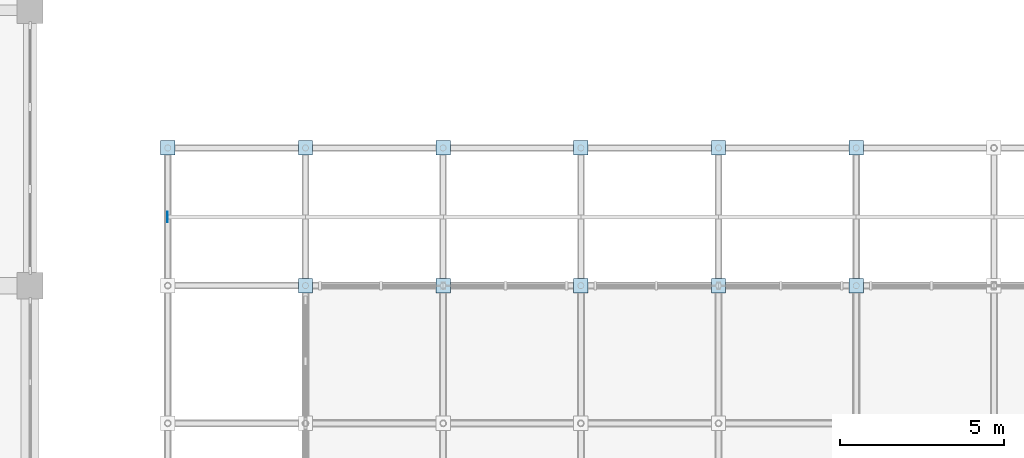
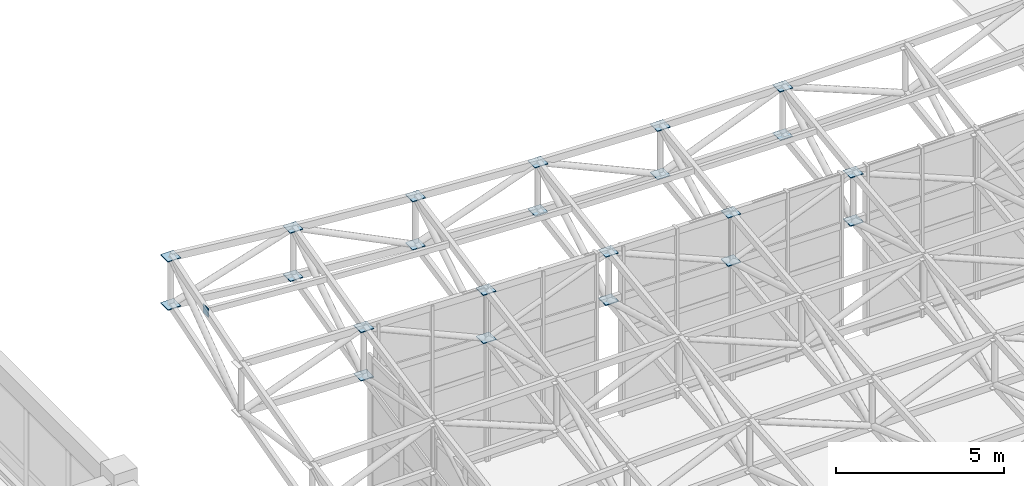
# One storey, part 76 of 132: 23 plates.
"""IFC4 building model written with IfcOpenShell, lengths in metres."""

from ifc_helpers import new_model, si_unit, direction, frame, origin, origin_2d, place, context, subcontext, project, spatial, rectangle, extrude, material, layer, layer_set, type_object, element, save


model = new_model("IFC4")

# Units and contexts
model_context = context("Model", 3, precision=1e-05, world=origin(), true_north=direction((0.0, 1.0)))
body_context = subcontext(model_context, "Body", "Model", "MODEL_VIEW")
ifc_project = project(units=[si_unit("LENGTHUNIT", "METRE"), si_unit("AREAUNIT", "SQUARE_METRE"), si_unit("VOLUMEUNIT", "CUBIC_METRE"), si_unit("PLANEANGLEUNIT", "RADIAN"), si_unit("MASSUNIT", "GRAM", prefix="KILO")], contexts=[model_context])

# Site, building, storey
site_placement = place(None, origin())
site = spatial("IfcSite", under=ifc_project, at=site_placement, CompositionType="ELEMENT")
building_placement = place(site_placement, origin())
building = spatial("IfcBuilding", under=site, at=building_placement, Name="Cumbredor Promenade Congress Hotel", CompositionType="ELEMENT")
storey_placement = place(building_placement, frame((0.0, 0.0, 7.56005859375)))
storey = spatial("IfcBuildingStorey", under=building, at=storey_placement, Name="L02", CompositionType="ELEMENT", Elevation=7.56005859375)

# Plates
ifc_material = material(Name="Steel ASTM A572 Grade 50", Category="steel")
ifc_layer_1 = layer(ifc_material, 0.02001953125, Name="Steel ASTM A572 Grade 50", Category="steel")
ifc_layer_set_1 = layer_set([ifc_layer_1], Name="Steel ASTM A572 Grade 50")
plate_type_1 = type_object("IfcPlateType", Name="Hollow Section End Cap Plate CP-05", PredefinedType="USERDEFINED", material=ifc_layer_set_1)
plate_placement = place(storey_placement, frame((71.39208984375, 52.5, 6.90283203125), z_axis=(0.0, 0.0, 1.0), x_axis=(1.0, 0.0, 0.0)))
element("IfcPlate", 1, at=plate_placement, inside=storey, type_object=plate_type_1, Name="Thermal Spa and Hydrotherapy Pavilion Roof Eave Purlin 1.13 Start Cap Plate", ObjectType="CAP PLATE", PredefinedType="USERDEFINED", context=body_context, shape_type="SweptSolid", body=[
    extrude(rectangle(XDim=0.02001953125, YDim=0.320068359375, at=origin_2d()), origin(), (0.0, 0.0, 1.0), 0.320068359375),
])
ifc_layer_2 = layer(ifc_material, 0.028076171875, Name="Steel ASTM A572 Grade 50", Category="steel")
ifc_layer_set_2 = layer_set([ifc_layer_2], Name="Steel ASTM A572 Grade 50")
plate_type_2 = type_object("IfcPlateType", Name="Space Frame Node Assembly ND-03", PredefinedType="USERDEFINED", material=ifc_layer_set_2)
for number, where, z_axis, x_axis, name in (
    (2, (71.39990234375, 54.60009765625, 7.73583984375), (0.0, 0.0, 1.0), (1.0, 0.0, 0.0), "Thermal Spa and Hydrotherapy Pavilion Space Frame Top Node 1.14"),
    (3, (71.39990234375, 54.60009765625, 5.98583984375), (0.0, 0.0, 1.0), (1.0, 0.0, 0.0), "Thermal Spa and Hydrotherapy Pavilion Space Frame Bottom Node 1.14"),
    (4, (75.60009765625, 50.39990234375, 6.2451171875), (0.0, 0.0, 1.0), (1.0, 0.0, 0.0), "Thermal Spa and Hydrotherapy Pavilion Space Frame Top Node 2.13"),
    (5, (75.60009765625, 50.39990234375, 4.4951171875), (0.0, 0.0, 1.0), (1.0, 0.0, 0.0), "Thermal Spa and Hydrotherapy Pavilion Space Frame Bottom Node 2.13"),
    (6, (75.60009765625, 54.60009765625, 7.30712890625), (0.0, 0.0, 1.0), (1.0, 0.0, 0.0), "Thermal Spa and Hydrotherapy Pavilion Space Frame Top Node 2.14"),
    (7, (75.60009765625, 54.60009765625, 5.55712890625), (0.0, 0.0, 1.0), (1.0, 0.0, 0.0), "Thermal Spa and Hydrotherapy Pavilion Space Frame Bottom Node 2.14"),
    (8, (79.800048828125, 50.39990234375, 6.1279296875), (0.0, 0.0, 1.0), (1.0, 0.0, 0.0), "Thermal Spa and Hydrotherapy Pavilion Space Frame Top Node 3.13"),
    (9, (79.800048828125, 50.39990234375, 4.3779296875), (0.0, 0.0, 1.0), (1.0, 0.0, 0.0), "Thermal Spa and Hydrotherapy Pavilion Space Frame Bottom Node 3.13"),
    (10, (79.800048828125, 54.60009765625, 6.97412109375), (0.0, 0.0, 1.0), (1.0, 0.0, 0.0), "Thermal Spa and Hydrotherapy Pavilion Space Frame Top Node 3.14"),
    (11, (79.800048828125, 54.60009765625, 5.22412109375), (0.0, 0.0, 1.0), (1.0, 0.0, 0.0), "Thermal Spa and Hydrotherapy Pavilion Space Frame Bottom Node 3.14"),
    (12, (84.0, 50.39990234375, 6.04443359375), (0.0, 0.0, 1.0), (1.0, 0.0, 0.0), "Thermal Spa and Hydrotherapy Pavilion Space Frame Top Node 4.13"),
    (13, (84.0, 50.39990234375, 4.29443359375), (0.0, 0.0, 1.0), (1.0, 0.0, 0.0), "Thermal Spa and Hydrotherapy Pavilion Space Frame Bottom Node 4.13"),
    (14, (84.0, 54.60009765625, 6.736328125), (0.0, 0.0, 1.0), (1.0, 0.0, 0.0), "Thermal Spa and Hydrotherapy Pavilion Space Frame Top Node 4.14"),
    (15, (84.0, 54.60009765625, 4.986328125), (0.0, 0.0, 1.0), (1.0, 0.0, 0.0), "Thermal Spa and Hydrotherapy Pavilion Space Frame Bottom Node 4.14"),
    (16, (88.199951171875, 50.39990234375, 5.994140625), (0.0, 0.0, 1.0), (1.0, 0.0, 0.0), "Thermal Spa and Hydrotherapy Pavilion Space Frame Top Node 5.13"),
    (17, (88.199951171875, 50.39990234375, 4.244140625), (0.0, 0.0, 1.0), (1.0, 0.0, 0.0), "Thermal Spa and Hydrotherapy Pavilion Space Frame Bottom Node 5.13"),
    (18, (88.199951171875, 54.60009765625, 6.59326171875), (0.0, 0.0, 1.0), (1.0, 0.0, 0.0), "Thermal Spa and Hydrotherapy Pavilion Space Frame Top Node 5.14"),
    (19, (88.199951171875, 54.60009765625, 4.84326171875), (0.0, 0.0, 1.0), (1.0, 0.0, 0.0), "Thermal Spa and Hydrotherapy Pavilion Space Frame Bottom Node 5.14"),
    (20, (92.39990234375, 50.39990234375, 5.9775390625), (0.0, 0.0, 1.0), (1.0, 0.0, 0.0), "Thermal Spa and Hydrotherapy Pavilion Space Frame Top Node 6.13"),
    (21, (92.39990234375, 50.39990234375, 4.2275390625), (0.0, 0.0, 1.0), (1.0, 0.0, 0.0), "Thermal Spa and Hydrotherapy Pavilion Space Frame Bottom Node 6.13"),
    (22, (92.39990234375, 54.60009765625, 6.5458984375), (0.0, 0.0, 1.0), (1.0, 0.0, 0.0), "Thermal Spa and Hydrotherapy Pavilion Space Frame Top Node 6.14"),
    (23, (92.39990234375, 54.60009765625, 4.7958984375), (0.0, 0.0, 1.0), (1.0, 0.0, 0.0), "Thermal Spa and Hydrotherapy Pavilion Space Frame Bottom Node 6.14"),
):
    element("IfcPlate", number, at=place(storey_placement, frame(where, z_axis=z_axis, x_axis=x_axis)), inside=storey, type_object=plate_type_2, Name=name, ObjectType="GUSSET PLATE", PredefinedType="USERDEFINED", context=body_context, shape_type="SweptSolid", body=[
        extrude(rectangle(XDim=0.43994140625, YDim=0.43994140625, at=origin_2d()), origin(), (0.0, 0.0, 1.0), 0.028076171875),
    ])

save(model, "model.ifc")
